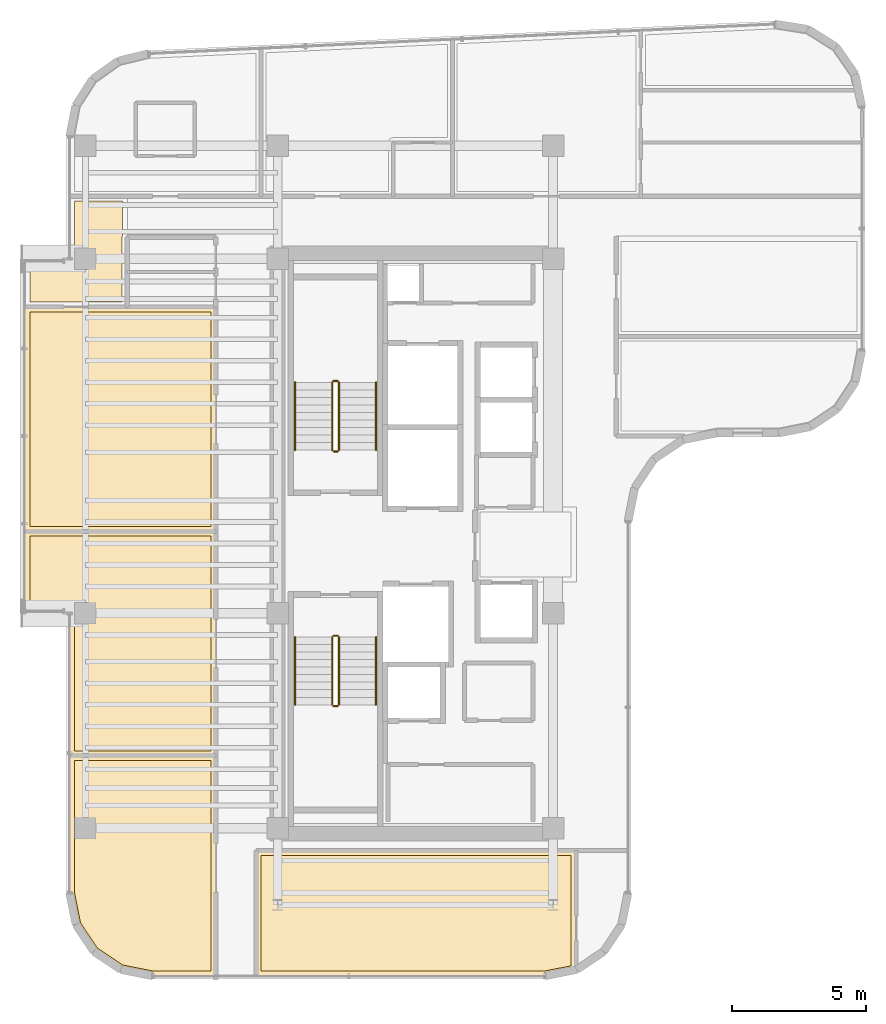
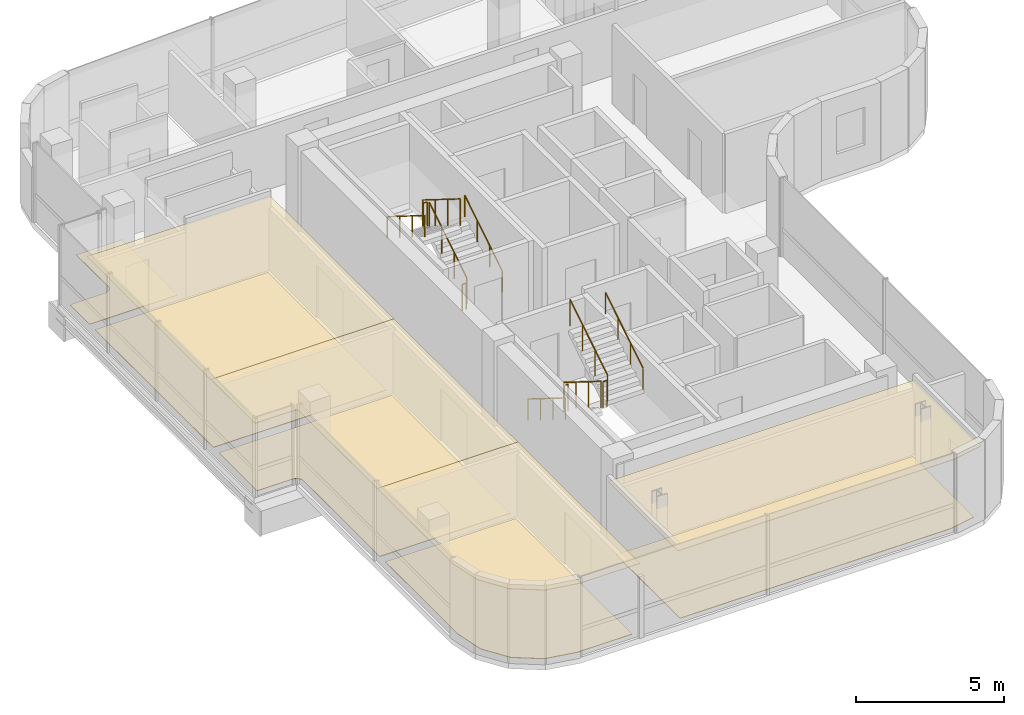
# One storey, part 17 of 18: 12 railings, 9 coverings.
"""IFC4 building model written with IfcOpenShell, lengths in metres."""

from ifc_helpers import new_model, si_unit, direction, frame, origin, origin_2d, place, context, subcontext, project, spatial, polyline, circle, outline, extrude, material, layer, layer_set, type_object, element, save


model = new_model("IFC4")

# Units and contexts
model_context = context("Model", 3, precision=1e-05, world=origin(), true_north=direction((0.0, 1.0)))
body_context = subcontext(model_context, "Body", "Model", "MODEL_VIEW")
ifc_project = project(units=[si_unit("LENGTHUNIT", "METRE"), si_unit("AREAUNIT", "SQUARE_METRE"), si_unit("VOLUMEUNIT", "CUBIC_METRE"), si_unit("PLANEANGLEUNIT", "RADIAN"), si_unit("MASSUNIT", "GRAM", prefix="KILO")], contexts=[model_context])

# Site, building, storey
site_placement = place(None, origin())
site = spatial("IfcSite", under=ifc_project, at=site_placement, CompositionType="ELEMENT")
building_placement = place(site_placement, origin())
building = spatial("IfcBuilding", under=site, at=building_placement, Name="Valdorenza Pilgrim Sanctuary Tower", CompositionType="ELEMENT")
storey_placement = place(building_placement, frame((0.0, 0.0, 247.5)))
storey = spatial("IfcBuildingStorey", under=building, at=storey_placement, Name="L64", CompositionType="ELEMENT", Elevation=247.5)

# Coverings
ifc_material_1 = material(Name="Micro-perforated acoustic mineral ceiling tile", Category="gypsum")
ifc_layer_1 = layer(ifc_material_1, 0.02490234375, Name="Micro-perforated acoustic mineral ceiling tile")
ifc_layer_set_1 = layer_set([ifc_layer_1], Name="Micro-perforated acoustic mineral ceiling tile")
covering_type_1 = type_object("IfcCoveringType", Name="COV-CLG-ACU", PredefinedType="CEILING", material=ifc_layer_set_1)
covering_1_placement = place(storey_placement, frame((0.0, 0.0, 2.9599609375)))
element("IfcCovering", 1, at=covering_1_placement, inside=storey, type_object=covering_type_1, Name="L64 Theological Seminar Classroom L64-W1 Acoustic Ceiling", PredefinedType="CEILING", context=body_context, shape_type="SweptSolid", body=[
    extrude(outline(polyline([(-24.93505859375, -16.090087890625), (-24.93505859375, -16.091552734375), (-24.935302734375, -16.093017578125), (-24.935546875, -16.094482421875), (-24.93603515625, -16.095703125), (-24.936767578125, -16.09716796875), (-24.9375, -16.098388671875), (-24.9384765625, -16.099609375), (-24.939453125, -16.1005859375), (-24.9404296875, -16.1015625), (-24.941650390625, -16.1025390625), (-24.94287109375, -16.103271484375), (-24.9443359375, -16.10400390625), (-24.945556640625, -16.1044921875), (-24.947021484375, -16.104736328125), (-24.948486328125, -16.10498046875), (-24.949951171875, -16.10498046875), (-27.289306640625, -16.10498046875), (-27.29052734375, -16.10498046875), (-27.2919921875, -16.104736328125), (-28.484619140625, -15.867431640625), (-28.486083984375, -15.8671875), (-28.4873046875, -15.86669921875), (-28.48876953125, -15.865966796875), (-28.489990234375, -15.865234375), (-29.49169921875, -15.19580078125), (-29.492919921875, -15.195068359375), (-29.493896484375, -15.194091796875), (-29.4951171875, -15.19287109375), (-29.495849609375, -15.191650390625), (-30.165283203125, -14.18994140625), (-30.166015625, -14.188720703125), (-30.16650390625, -14.1875), (-30.1669921875, -14.18603515625), (-30.16748046875, -14.1845703125), (-30.40478515625, -12.9921875), (-30.40478515625, -12.990478515625), (-30.405029296875, -12.9892578125), (-30.405029296875, -7.893310546875), (-30.40478515625, -7.891845703125), (-30.40478515625, -7.890380859375), (-30.404296875, -7.888916015625), (-30.40380859375, -7.8876953125), (-30.4033203125, -7.88623046875), (-30.402587890625, -7.885009765625), (-30.401611328125, -7.8837890625), (-30.400634765625, -7.8828125), (-30.3994140625, -7.881591796875), (-30.398193359375, -7.880859375), (-30.397216796875, -7.880126953125), (-30.395751953125, -7.87939453125), (-30.394287109375, -7.87890625), (-30.392822265625, -7.878662109375), (-30.3916015625, -7.87841796875), (-30.389892578125, -7.87841796875), (-24.949951171875, -7.87841796875), (-24.948486328125, -7.87841796875), (-24.947021484375, -7.878662109375), (-24.945556640625, -7.87890625), (-24.9443359375, -7.87939453125), (-24.94287109375, -7.880126953125), (-24.941650390625, -7.880859375), (-24.9404296875, -7.881591796875), (-24.939453125, -7.8828125), (-24.9384765625, -7.8837890625), (-24.9375, -7.885009765625), (-24.936767578125, -7.88623046875), (-24.93603515625, -7.8876953125), (-24.935546875, -7.888916015625), (-24.935302734375, -7.890380859375), (-24.93505859375, -7.891845703125), (-24.93505859375, -7.893310546875), (-24.93505859375, -16.090087890625)])), origin(), (0.0, 0.0, 1.0), 0.025146484375),
])
covering_2_placement = place(storey_placement, frame((0.0, 0.0, 2.9599609375)))
element("IfcCovering", 2, at=covering_2_placement, inside=storey, type_object=covering_type_1, Name="L64 Theological Seminar Classroom L64-W2 Acoustic Ceiling", PredefinedType="CEILING", context=body_context, shape_type="SweptSolid", body=[
    extrude(outline(polyline([(-24.93505859375, -7.891357421875), (-24.93505859375, -7.892822265625), (-24.935302734375, -7.894287109375), (-24.935546875, -7.895751953125), (-24.93603515625, -7.89697265625), (-24.936767578125, -7.8984375), (-24.9375, -7.899658203125), (-24.9384765625, -7.90087890625), (-24.939453125, -7.90185546875), (-24.9404296875, -7.90283203125), (-24.941650390625, -7.90380859375), (-24.94287109375, -7.904541015625), (-24.9443359375, -7.9052734375), (-24.945556640625, -7.90576171875), (-24.947021484375, -7.906005859375), (-24.948486328125, -7.90625), (-24.949951171875, -7.90625), (-30.389892578125, -7.90625), (-30.3916015625, -7.90625), (-30.392822265625, -7.906005859375), (-30.394287109375, -7.90576171875), (-30.395751953125, -7.9052734375), (-30.397216796875, -7.904541015625), (-30.398193359375, -7.90380859375), (-30.3994140625, -7.90283203125), (-30.400634765625, -7.90185546875), (-30.401611328125, -7.90087890625), (-30.402587890625, -7.899658203125), (-30.4033203125, -7.8984375), (-30.40380859375, -7.89697265625), (-30.404296875, -7.895751953125), (-30.40478515625, -7.894287109375), (-30.40478515625, -7.892822265625), (-30.405029296875, -7.891357421875), (-30.405029296875, -2.600341796875), (-30.405517578125, -2.5908203125), (-30.40673828125, -2.58154296875), (-30.4091796875, -2.572509765625), (-30.412109375, -2.563720703125), (-30.416259765625, -2.55517578125), (-30.4208984375, -2.547119140625), (-30.426513671875, -2.539794921875), (-30.432861328125, -2.53271484375), (-30.439697265625, -2.526611328125), (-30.447265625, -2.52099609375), (-30.455078125, -2.51611328125), (-30.463623046875, -2.51220703125), (-30.472412109375, -2.509033203125), (-30.4814453125, -2.5068359375), (-30.49072265625, -2.505615234375), (-30.50048828125, -2.5048828125), (-32.0400390625, -2.5048828125), (-32.04150390625, -2.5048828125), (-32.04296875, -2.504638671875), (-32.04443359375, -2.50439453125), (-32.045654296875, -2.50390625), (-32.047119140625, -2.503173828125), (-32.04833984375, -2.50244140625), (-32.049560546875, -2.501708984375), (-32.050537109375, -2.50048828125), (-32.051513671875, -2.49951171875), (-32.052490234375, -2.498291015625), (-32.05322265625, -2.4970703125), (-32.053955078125, -2.49560546875), (-32.054443359375, -2.494384765625), (-32.0546875, -2.492919921875), (-32.054931640625, -2.491455078125), (-32.054931640625, -2.489990234375), (-32.054931640625, 0.453369140625), (-32.054931640625, 0.454833984375), (-32.0546875, 0.456298828125), (-32.054443359375, 0.457763671875), (-32.053955078125, 0.458984375), (-32.05322265625, 0.46044921875), (-32.052490234375, 0.461669921875), (-32.051513671875, 0.462890625), (-32.050537109375, 0.4638671875), (-32.049560546875, 0.46484375), (-32.04833984375, 0.4658203125), (-32.047119140625, 0.466552734375), (-32.045654296875, 0.46728515625), (-32.04443359375, 0.4677734375), (-32.04296875, 0.468017578125), (-32.04150390625, 0.46826171875), (-32.0400390625, 0.46826171875), (-24.949951171875, 0.46826171875), (-24.948486328125, 0.46826171875), (-24.947021484375, 0.468017578125), (-24.945556640625, 0.4677734375), (-24.9443359375, 0.46728515625), (-24.94287109375, 0.466552734375), (-24.941650390625, 0.4658203125), (-24.9404296875, 0.46484375), (-24.939453125, 0.4638671875), (-24.9384765625, 0.462890625), (-24.9375, 0.461669921875), (-24.936767578125, 0.46044921875), (-24.93603515625, 0.458984375), (-24.935546875, 0.457763671875), (-24.935302734375, 0.456298828125), (-24.93505859375, 0.454833984375), (-24.93505859375, 0.453369140625), (-24.93505859375, -7.891357421875)])), origin(), (0.0, 0.0, 1.0), 0.025146484375),
])
covering_3_placement = place(storey_placement, frame((0.0, 0.0, 2.9599609375)))
element("IfcCovering", 3, at=covering_3_placement, inside=storey, type_object=covering_type_1, Name="L64 Theological Seminar Classroom L64-W3 Acoustic Ceiling", PredefinedType="CEILING", context=body_context, shape_type="SweptSolid", body=[
    extrude(outline(polyline([(-28.253662109375, 8.81298828125), (-28.253173828125, 8.81298828125), (-28.25146484375, 8.813232421875), (-28.25, 8.813232421875), (-28.24853515625, 8.81298828125), (-28.248291015625, 8.81298828125), (-24.949951171875, 8.81298828125), (-24.948486328125, 8.81298828125), (-24.947021484375, 8.812744140625), (-24.945556640625, 8.8125), (-24.9443359375, 8.81201171875), (-24.94287109375, 8.811279296875), (-24.941650390625, 8.810546875), (-24.9404296875, 8.8095703125), (-24.939453125, 8.80859375), (-24.9384765625, 8.8076171875), (-24.9375, 8.806396484375), (-24.936767578125, 8.80517578125), (-24.93603515625, 8.8037109375), (-24.935546875, 8.802490234375), (-24.935302734375, 8.80078125), (-24.93505859375, 8.799560546875), (-24.93505859375, 8.798095703125), (-24.93505859375, 0.455322265625), (-24.93505859375, 0.453857421875), (-24.935302734375, 0.452392578125), (-24.935546875, 0.450927734375), (-24.93603515625, 0.44970703125), (-24.936767578125, 0.4482421875), (-24.9375, 0.447021484375), (-24.9384765625, 0.44580078125), (-24.939453125, 0.444580078125), (-24.9404296875, 0.443603515625), (-24.941650390625, 0.44287109375), (-24.94287109375, 0.442138671875), (-24.9443359375, 0.44140625), (-24.945556640625, 0.44091796875), (-24.947021484375, 0.440673828125), (-24.948486328125, 0.4404296875), (-24.949951171875, 0.440185546875), (-32.0400390625, 0.440185546875), (-32.04150390625, 0.4404296875), (-32.04296875, 0.440673828125), (-32.04443359375, 0.44091796875), (-32.045654296875, 0.44140625), (-32.047119140625, 0.442138671875), (-32.04833984375, 0.44287109375), (-32.049560546875, 0.443603515625), (-32.050537109375, 0.444580078125), (-32.051513671875, 0.44580078125), (-32.052490234375, 0.447021484375), (-32.05322265625, 0.4482421875), (-32.053955078125, 0.44970703125), (-32.054443359375, 0.450927734375), (-32.0546875, 0.452392578125), (-32.054931640625, 0.453857421875), (-32.054931640625, 0.455322265625), (-32.054931640625, 8.798095703125), (-32.054931640625, 8.799560546875), (-32.0546875, 8.80078125), (-32.054443359375, 8.802490234375), (-32.053955078125, 8.8037109375), (-32.05322265625, 8.80517578125), (-32.052490234375, 8.806396484375), (-32.051513671875, 8.8076171875), (-32.050537109375, 8.80859375), (-32.049560546875, 8.8095703125), (-32.04833984375, 8.810546875), (-32.047119140625, 8.811279296875), (-32.045654296875, 8.81201171875), (-32.04443359375, 8.8125), (-32.04296875, 8.812744140625), (-32.04150390625, 8.81298828125), (-32.0400390625, 8.81298828125), (-28.253662109375, 8.81298828125)])), origin(), (0.0, 0.0, 1.0), 0.025146484375),
])
covering_4_placement = place(storey_placement, frame((0.0, 0.0, 2.9599609375)))
element("IfcCovering", 4, at=covering_4_placement, inside=storey, type_object=covering_type_1, Name="L64 South Contemplation Lounge L64 Acoustic Ceiling", PredefinedType="CEILING", context=body_context, shape_type="SweptSolid", body=[
    extrude(outline(polyline([(-11.550048828125, -11.405029296875), (-11.548583984375, -11.405029296875), (-11.547119140625, -11.4052734375), (-11.545654296875, -11.405517578125), (-11.544189453125, -11.406005859375), (-11.54296875, -11.40673828125), (-11.541748046875, -11.407470703125), (-11.54052734375, -11.408447265625), (-11.539306640625, -11.409423828125), (-11.538330078125, -11.410400390625), (-11.53759765625, -11.41162109375), (-11.536865234375, -11.412841796875), (-11.5361328125, -11.414306640625), (-11.53564453125, -11.41552734375), (-11.535400390625, -11.4169921875), (-11.53515625, -11.41845703125), (-11.534912109375, -11.419921875), (-11.534912109375, -15.859130859375), (-11.53515625, -15.860595703125), (-11.535400390625, -15.862060546875), (-11.53564453125, -15.86328125), (-11.5361328125, -15.86474609375), (-11.536865234375, -15.8662109375), (-11.53759765625, -15.867431640625), (-11.538330078125, -15.86865234375), (-11.539306640625, -15.86962890625), (-11.54052734375, -15.87060546875), (-11.541748046875, -15.87158203125), (-11.54296875, -15.872314453125), (-11.544189453125, -15.872802734375), (-11.545654296875, -15.873291015625), (-11.547119140625, -15.873779296875), (-12.7080078125, -16.104736328125), (-12.70947265625, -16.10498046875), (-12.710693359375, -16.10498046875), (-23.449951171875, -16.10498046875), (-23.451416015625, -16.10498046875), (-23.452880859375, -16.104736328125), (-23.454345703125, -16.1044921875), (-23.455810546875, -16.10400390625), (-23.45703125, -16.103271484375), (-23.458251953125, -16.1025390625), (-23.45947265625, -16.1015625), (-23.460693359375, -16.1005859375), (-23.461669921875, -16.099609375), (-23.46240234375, -16.098388671875), (-23.463134765625, -16.09716796875), (-23.4638671875, -16.095703125), (-23.46435546875, -16.094482421875), (-23.464599609375, -16.093017578125), (-23.46484375, -16.091552734375), (-23.465087890625, -16.090087890625), (-23.465087890625, -11.419921875), (-23.46484375, -11.41845703125), (-23.464599609375, -11.4169921875), (-23.46435546875, -11.41552734375), (-23.4638671875, -11.414306640625), (-23.463134765625, -11.412841796875), (-23.46240234375, -11.41162109375), (-23.461669921875, -11.410400390625), (-23.460693359375, -11.409423828125), (-23.45947265625, -11.408447265625), (-23.458251953125, -11.407470703125), (-23.45703125, -11.40673828125), (-23.455810546875, -11.406005859375), (-23.454345703125, -11.405517578125), (-23.452880859375, -11.4052734375), (-23.451416015625, -11.405029296875), (-23.449951171875, -11.405029296875), (-11.550048828125, -11.405029296875)])), origin(), (0.0, 0.0, 1.0), 0.025146484375),
])
ifc_material_2 = material(Name="Engineered European oak timber flooring", Category="wood")
ifc_layer_2 = layer(ifc_material_2, 0.02197265625, Name="Engineered European oak timber flooring")
ifc_layer_set_2 = layer_set([ifc_layer_2], Name="Engineered European oak timber flooring")
covering_type_2 = type_object("IfcCoveringType", Name="COV-FLR-OAK", PredefinedType="FLOORING", material=ifc_layer_set_2)
covering_5_placement = place(storey_placement, origin())
element("IfcCovering", 5, at=covering_5_placement, inside=storey, type_object=covering_type_2, Name="L64 Theological Seminar Classroom L64-W1 Flooring", PredefinedType="FLOORING", context=body_context, shape_type="SweptSolid", body=[
    extrude(outline(polyline([(-25.1298828125, -15.909912109375), (-27.271484375, -15.909912109375), (-28.411376953125, -15.68310546875), (-29.353515625, -15.0537109375), (-29.983154296875, -14.111328125), (-30.2099609375, -12.971435546875), (-30.2099609375, -8.0732421875), (-25.1298828125, -8.0732421875), (-25.1298828125, -15.909912109375)])), origin(), (0.0, 0.0, 1.0), 0.02490234375),
])
covering_6_placement = place(storey_placement, origin())
element("IfcCovering", 6, at=covering_6_placement, inside=storey, type_object=covering_type_2, Name="L64 Theological Seminar Classroom L64-W2 Flooring", PredefinedType="FLOORING", context=body_context, shape_type="SweptSolid", body=[
    extrude(outline(polyline([(-25.1298828125, -7.711181640625), (-30.2099609375, -7.711181640625), (-30.2099609375, -2.60009765625), (-30.210205078125, -2.59130859375), (-30.210693359375, -2.580322265625), (-30.21240234375, -2.562744140625), (-30.214111328125, -2.552001953125), (-30.217529296875, -2.534912109375), (-30.22021484375, -2.5244140625), (-30.225341796875, -2.50732421875), (-30.22900390625, -2.497314453125), (-30.235595703125, -2.48095703125), (-30.240234375, -2.47119140625), (-30.24853515625, -2.45556640625), (-30.254150390625, -2.4462890625), (-30.263916015625, -2.431640625), (-30.2705078125, -2.423095703125), (-30.281494140625, -2.4091796875), (-30.288818359375, -2.4013671875), (-30.30126953125, -2.388916015625), (-30.309326171875, -2.381591796875), (-30.322998046875, -2.370361328125), (-30.331787109375, -2.364013671875), (-30.34619140625, -2.35400390625), (-30.355712890625, -2.3486328125), (-30.37109375, -2.34033203125), (-30.380859375, -2.335693359375), (-30.397216796875, -2.328857421875), (-30.407470703125, -2.3251953125), (-30.42431640625, -2.320068359375), (-30.434814453125, -2.3173828125), (-30.4521484375, -2.314208984375), (-30.462890625, -2.3125), (-30.48046875, -2.310791015625), (-30.4912109375, -2.310302734375), (-30.5, -2.31005859375), (-31.860107421875, -2.31005859375), (-31.860107421875, 0.273193359375), (-25.1298828125, 0.273193359375), (-25.1298828125, -7.711181640625)])), origin(), (0.0, 0.0, 1.0), 0.02490234375),
])
covering_7_placement = place(storey_placement, origin())
element("IfcCovering", 7, at=covering_7_placement, inside=storey, type_object=covering_type_2, Name="L64 Theological Seminar Classroom L64-W3 Flooring", PredefinedType="FLOORING", context=body_context, shape_type="SweptSolid", body=[
    extrude(outline(polyline([(-28.250244140625, 8.617919921875), (-28.25, 8.617919921875), (-25.1298828125, 8.617919921875), (-25.1298828125, 0.63525390625), (-31.860107421875, 0.63525390625), (-31.860107421875, 8.617919921875), (-28.251953125, 8.617919921875), (-28.2509765625, 8.617919921875), (-28.250244140625, 8.617919921875)])), origin(), (0.0, 0.0, 1.0), 0.02490234375),
])
ifc_material_3 = material(Name="Honed travertine stone flooring", Category="masonry")
ifc_layer_3 = layer(ifc_material_3, 0.030029296875, Name="Honed travertine stone flooring")
ifc_layer_set_3 = layer_set([ifc_layer_3], Name="Honed travertine stone flooring")
covering_type_3 = type_object("IfcCoveringType", Name="COV-FLR-TRV", PredefinedType="FLOORING", material=ifc_layer_set_3)
covering_8_placement = place(storey_placement, origin())
element("IfcCovering", 8, at=covering_8_placement, inside=storey, type_object=covering_type_3, Name="L64 Pilgrim Scholar Office L64-WN Flooring", PredefinedType="FLOORING", context=body_context, shape_type="SweptSolid", body=[
    extrude(outline(polyline([(-28.431884765625, 10.100341796875), (-28.431884765625, 10.10009765625), (-28.431884765625, 8.97998046875), (-31.860107421875, 8.97998046875), (-31.860107421875, 10.31005859375), (-30.5, 10.31005859375), (-30.4912109375, 10.310302734375), (-30.48046875, 10.310791015625), (-30.462890625, 10.3125), (-30.4521484375, 10.314208984375), (-30.434814453125, 10.3173828125), (-30.42431640625, 10.320068359375), (-30.407470703125, 10.3251953125), (-30.397216796875, 10.328857421875), (-30.380859375, 10.335693359375), (-30.37109375, 10.34033203125), (-30.355712890625, 10.3486328125), (-30.34619140625, 10.35400390625), (-30.331787109375, 10.364013671875), (-30.322998046875, 10.370361328125), (-30.309326171875, 10.381591796875), (-30.30126953125, 10.388916015625), (-30.288818359375, 10.4013671875), (-30.281494140625, 10.4091796875), (-30.2705078125, 10.423095703125), (-30.263916015625, 10.431640625), (-30.254150390625, 10.4462890625), (-30.24853515625, 10.45556640625), (-30.240234375, 10.47119140625), (-30.235595703125, 10.48095703125), (-30.22900390625, 10.497314453125), (-30.225341796875, 10.50732421875), (-30.22021484375, 10.5244140625), (-30.217529296875, 10.534912109375), (-30.214111328125, 10.552001953125), (-30.21240234375, 10.562744140625), (-30.210693359375, 10.580322265625), (-30.210205078125, 10.59130859375), (-30.2099609375, 10.60009765625), (-30.2099609375, 12.739990234375), (-28.429931640625, 12.739990234375), (-28.429931640625, 11.427001953125), (-28.429931640625, 11.4267578125), (-28.429931640625, 11.426513671875), (-28.431884765625, 11.408935546875), (-28.431884765625, 11.40869140625), (-28.431884765625, 11.39990234375), (-28.431884765625, 10.10205078125), (-28.431884765625, 10.10107421875), (-28.431884765625, 10.100341796875)])), origin(), (0.0, 0.0, 1.0), 0.02490234375),
])
covering_9_placement = place(storey_placement, origin())
element("IfcCovering", 9, at=covering_9_placement, inside=storey, type_object=covering_type_3, Name="L64 South Contemplation Lounge L64 Flooring", PredefinedType="FLOORING", context=body_context, shape_type="SweptSolid", body=[
    extrude(outline(polyline([(-11.72998046875, -11.60009765625), (-11.72998046875, -15.71142578125), (-12.728515625, -15.909912109375), (-23.27001953125, -15.909912109375), (-23.27001953125, -11.60009765625), (-11.72998046875, -11.60009765625)])), origin(), (0.0, 0.0, 1.0), 0.02490234375),
])

# Railings
ifc_material_4 = material(Name="Stainless steel Grade 316", Category="steel")
railing_type_1 = type_object("IfcRailingType", Name="RLG-GRD-1120", PredefinedType="GUARDRAIL", material=ifc_material_4)
railing_1_placement = place(storey_placement, frame((-20.3701171875, 3.47998046875, 0.175048828125)))
element("IfcRailing", 10, at=railing_1_placement, inside=storey, type_object=railing_type_1, Name="L64 ST-A1 stair guard 1", PredefinedType="GUARDRAIL", context=body_context, shape_type="SweptSolid", body=[
    extrude(circle(Radius=0.02392578125, at=origin_2d()), frame((0.0, 0.0, 1.076171875), z_axis=(0.0, 0.848007534815, 0.529984170421), x_axis=(-1.0, 0.0, 0.0)), (0.0, 0.0, 1.0), 2.9716796875),
    extrude(circle(Radius=0.02099609375, at=origin_2d()), origin(), (0.0, 0.0, 1.0), 1.052001953125),
    extrude(circle(Radius=0.02099609375, at=origin_2d()), frame((0.0, 0.840087890625, 0.52490234375)), (0.0, 0.0, 1.0), 1.052001953125),
    extrude(circle(Radius=0.02099609375, at=origin_2d()), frame((0.0, 1.679931640625, 1.050048828125)), (0.0, 0.0, 1.0), 1.052001953125),
    extrude(circle(Radius=0.02099609375, at=origin_2d()), frame((0.0, 2.52001953125, 1.574951171875)), (0.0, 0.0, 1.0), 1.052001953125),
])
railing_2_placement = place(storey_placement, frame((-20.419921875, 6.050048828125, 1.75)))
element("IfcRailing", 11, at=railing_2_placement, inside=storey, type_object=railing_type_1, Name="L64 ST-A1 stair guard 2", PredefinedType="GUARDRAIL", context=body_context, shape_type="SweptSolid", body=[
    extrude(circle(Radius=0.02392578125, at=origin_2d()), frame((0.0, 0.0, 1.076171875), z_axis=(-1.0, 0.0, 0.0), x_axis=(0.0, -1.0, 0.0)), (0.0, 0.0, 1.0), 0.150146484375),
    extrude(circle(Radius=0.02099609375, at=origin_2d()), origin(), (0.0, 0.0, 1.0), 1.052001953125),
    extrude(circle(Radius=0.02099609375, at=origin_2d()), frame((-0.150146484375, 0.0, 0.0)), (0.0, 0.0, 1.0), 1.052001953125),
])
railing_3_placement = place(storey_placement, frame((-20.6201171875, 6.0, 1.925048828125)))
element("IfcRailing", 12, at=railing_3_placement, inside=storey, type_object=railing_type_1, Name="L64 ST-A1 stair guard 3", PredefinedType="GUARDRAIL", context=body_context, shape_type="SweptSolid", body=[
    extrude(circle(Radius=0.02392578125, at=origin_2d()), frame((0.0, 0.0, 1.076171875), z_axis=(0.0, -0.848007534815, 0.529984170421), x_axis=(1.0, 0.0, 0.0)), (0.0, 0.0, 1.0), 2.9716796875),
    extrude(circle(Radius=0.02099609375, at=origin_2d()), origin(), (0.0, 0.0, 1.0), 1.052001953125),
    extrude(circle(Radius=0.02099609375, at=origin_2d()), frame((0.0, -0.840087890625, 0.52490234375)), (0.0, 0.0, 1.0), 1.052001953125),
    extrude(circle(Radius=0.02099609375, at=origin_2d()), frame((0.0, -1.679931640625, 1.050048828125)), (0.0, 0.0, 1.0), 1.052001953125),
    extrude(circle(Radius=0.02099609375, at=origin_2d()), frame((0.0, -2.52001953125, 1.574951171875)), (0.0, 0.0, 1.0), 1.052001953125),
])
railing_4_placement = place(storey_placement, frame((-20.419921875, 3.429931640625, 0.0)))
element("IfcRailing", 13, at=railing_4_placement, inside=storey, type_object=railing_type_1, Name="L64 ST-A1 stair guard 4", PredefinedType="GUARDRAIL", context=body_context, shape_type="SweptSolid", body=[
    extrude(circle(Radius=0.02392578125, at=origin_2d()), frame((0.0, 0.0, 1.076171875), z_axis=(-1.0, 0.0, 0.0), x_axis=(0.0, -1.0, 0.0)), (0.0, 0.0, 1.0), 0.150146484375),
    extrude(circle(Radius=0.02099609375, at=origin_2d()), origin(), (0.0, 0.0, 1.0), 1.052001953125),
    extrude(circle(Radius=0.02099609375, at=origin_2d()), frame((-0.150146484375, 0.0, 0.0)), (0.0, 0.0, 1.0), 1.052001953125),
])
railing_5_placement = place(storey_placement, frame((-20.6201171875, -3.47998046875, 0.175048828125)))
element("IfcRailing", 14, at=railing_5_placement, inside=storey, type_object=railing_type_1, Name="L64 ST-A2 stair guard 1", PredefinedType="GUARDRAIL", context=body_context, shape_type="SweptSolid", body=[
    extrude(circle(Radius=0.02392578125, at=origin_2d()), frame((0.0, 0.0, 1.076171875), z_axis=(0.0, -0.848007534815, 0.529984170421), x_axis=(1.0, 0.0, 0.0)), (0.0, 0.0, 1.0), 2.9716796875),
    extrude(circle(Radius=0.02099609375, at=origin_2d()), origin(), (0.0, 0.0, 1.0), 1.052001953125),
    extrude(circle(Radius=0.02099609375, at=origin_2d()), frame((0.0, -0.840087890625, 0.52490234375)), (0.0, 0.0, 1.0), 1.052001953125),
    extrude(circle(Radius=0.02099609375, at=origin_2d()), frame((0.0, -1.679931640625, 1.050048828125)), (0.0, 0.0, 1.0), 1.052001953125),
    extrude(circle(Radius=0.02099609375, at=origin_2d()), frame((0.0, -2.52001953125, 1.574951171875)), (0.0, 0.0, 1.0), 1.052001953125),
])
railing_6_placement = place(storey_placement, frame((-20.570068359375, -6.050048828125, 1.75)))
element("IfcRailing", 15, at=railing_6_placement, inside=storey, type_object=railing_type_1, Name="L64 ST-A2 stair guard 2", PredefinedType="GUARDRAIL", context=body_context, shape_type="SweptSolid", body=[
    extrude(circle(Radius=0.02392578125, at=origin_2d()), frame((0.0, 0.0, 1.076171875), z_axis=(1.0, 0.0, 0.0), x_axis=(0.0, 1.0, 0.0)), (0.0, 0.0, 1.0), 0.150146484375),
    extrude(circle(Radius=0.02099609375, at=origin_2d()), origin(), (0.0, 0.0, 1.0), 1.052001953125),
    extrude(circle(Radius=0.02099609375, at=origin_2d()), frame((0.150146484375, 0.0, 0.0)), (0.0, 0.0, 1.0), 1.052001953125),
])
railing_7_placement = place(storey_placement, frame((-20.3701171875, -6.0, 1.925048828125)))
element("IfcRailing", 16, at=railing_7_placement, inside=storey, type_object=railing_type_1, Name="L64 ST-A2 stair guard 3", PredefinedType="GUARDRAIL", context=body_context, shape_type="SweptSolid", body=[
    extrude(circle(Radius=0.02392578125, at=origin_2d()), frame((0.0, 0.0, 1.076171875), z_axis=(0.0, 0.848007534815, 0.529984170421), x_axis=(-1.0, 0.0, 0.0)), (0.0, 0.0, 1.0), 2.9716796875),
    extrude(circle(Radius=0.02099609375, at=origin_2d()), origin(), (0.0, 0.0, 1.0), 1.052001953125),
    extrude(circle(Radius=0.02099609375, at=origin_2d()), frame((0.0, 0.840087890625, 0.52490234375)), (0.0, 0.0, 1.0), 1.052001953125),
    extrude(circle(Radius=0.02099609375, at=origin_2d()), frame((0.0, 1.679931640625, 1.050048828125)), (0.0, 0.0, 1.0), 1.052001953125),
    extrude(circle(Radius=0.02099609375, at=origin_2d()), frame((0.0, 2.52001953125, 1.574951171875)), (0.0, 0.0, 1.0), 1.052001953125),
])
railing_8_placement = place(storey_placement, frame((-20.570068359375, -3.429931640625, 0.0)))
element("IfcRailing", 17, at=railing_8_placement, inside=storey, type_object=railing_type_1, Name="L64 ST-A2 stair guard 4", PredefinedType="GUARDRAIL", context=body_context, shape_type="SweptSolid", body=[
    extrude(circle(Radius=0.02392578125, at=origin_2d()), frame((0.0, 0.0, 1.076171875), z_axis=(1.0, 0.0, 0.0), x_axis=(0.0, 1.0, 0.0)), (0.0, 0.0, 1.0), 0.150146484375),
    extrude(circle(Radius=0.02099609375, at=origin_2d()), origin(), (0.0, 0.0, 1.0), 1.052001953125),
    extrude(circle(Radius=0.02099609375, at=origin_2d()), frame((0.150146484375, 0.0, 0.0)), (0.0, 0.0, 1.0), 1.052001953125),
])
ifc_material_5 = material(Name="Brushed stainless steel Grade 316", Category="steel")
railing_type_2 = type_object("IfcRailingType", Name="RLG-HND-920", PredefinedType="HANDRAIL", material=ifc_material_5)
railing_9_placement = place(storey_placement, frame((-18.989990234375, 3.47998046875, 0.175048828125)))
element("IfcRailing", 18, at=railing_9_placement, inside=storey, type_object=railing_type_2, Name="L64 ST-A1 stair handrail 1", PredefinedType="HANDRAIL", context=body_context, shape_type="SweptSolid", body=[
    extrude(circle(Radius=0.02392578125, at=origin_2d()), frame((0.0, 0.0, 0.8759765625), z_axis=(0.0, 0.848007534815, 0.529984170421), x_axis=(-1.0, 0.0, 0.0)), (0.0, 0.0, 1.0), 2.9716796875),
    extrude(circle(Radius=0.02099609375, at=origin_2d()), origin(), (0.0, 0.0, 1.0), 0.851806640625),
    extrude(circle(Radius=0.02099609375, at=origin_2d()), frame((0.0, 0.840087890625, 0.52490234375)), (0.0, 0.0, 1.0), 0.851806640625),
    extrude(circle(Radius=0.02099609375, at=origin_2d()), frame((0.0, 1.679931640625, 1.050048828125)), (0.0, 0.0, 1.0), 0.851806640625),
    extrude(circle(Radius=0.02099609375, at=origin_2d()), frame((0.0, 2.52001953125, 1.574951171875)), (0.0, 0.0, 1.0), 0.851806640625),
])
for number, where, name in (
    (19, (-22.0, 6.0, 1.925048828125), "L64 ST-A1 stair handrail 2"),
    (20, (-22.0, -3.47998046875, 0.175048828125), "L64 ST-A2 stair handrail 1"),
):
    element("IfcRailing", number, at=place(storey_placement, frame(where)), inside=storey, type_object=railing_type_2, Name=name, PredefinedType="HANDRAIL", context=body_context, shape_type="SweptSolid", body=[
        extrude(circle(Radius=0.02392578125, at=origin_2d()), frame((0.0, 0.0, 0.8759765625), z_axis=(0.0, -0.848007534815, 0.529984170421), x_axis=(1.0, 0.0, 0.0)), (0.0, 0.0, 1.0), 2.9716796875),
        extrude(circle(Radius=0.02099609375, at=origin_2d()), origin(), (0.0, 0.0, 1.0), 0.851806640625),
        extrude(circle(Radius=0.02099609375, at=origin_2d()), frame((0.0, -0.840087890625, 0.52490234375)), (0.0, 0.0, 1.0), 0.851806640625),
        extrude(circle(Radius=0.02099609375, at=origin_2d()), frame((0.0, -1.679931640625, 1.050048828125)), (0.0, 0.0, 1.0), 0.851806640625),
        extrude(circle(Radius=0.02099609375, at=origin_2d()), frame((0.0, -2.52001953125, 1.574951171875)), (0.0, 0.0, 1.0), 0.851806640625),
    ])
railing_10_placement = place(storey_placement, frame((-18.989990234375, -6.0, 1.925048828125)))
element("IfcRailing", 21, at=railing_10_placement, inside=storey, type_object=railing_type_2, Name="L64 ST-A2 stair handrail 2", PredefinedType="HANDRAIL", context=body_context, shape_type="SweptSolid", body=[
    extrude(circle(Radius=0.02392578125, at=origin_2d()), frame((0.0, 0.0, 0.8759765625), z_axis=(0.0, 0.848007534815, 0.529984170421), x_axis=(-1.0, 0.0, 0.0)), (0.0, 0.0, 1.0), 2.9716796875),
    extrude(circle(Radius=0.02099609375, at=origin_2d()), origin(), (0.0, 0.0, 1.0), 0.851806640625),
    extrude(circle(Radius=0.02099609375, at=origin_2d()), frame((0.0, 0.840087890625, 0.52490234375)), (0.0, 0.0, 1.0), 0.851806640625),
    extrude(circle(Radius=0.02099609375, at=origin_2d()), frame((0.0, 1.679931640625, 1.050048828125)), (0.0, 0.0, 1.0), 0.851806640625),
    extrude(circle(Radius=0.02099609375, at=origin_2d()), frame((0.0, 2.52001953125, 1.574951171875)), (0.0, 0.0, 1.0), 0.851806640625),
])

save(model, "model.ifc")
